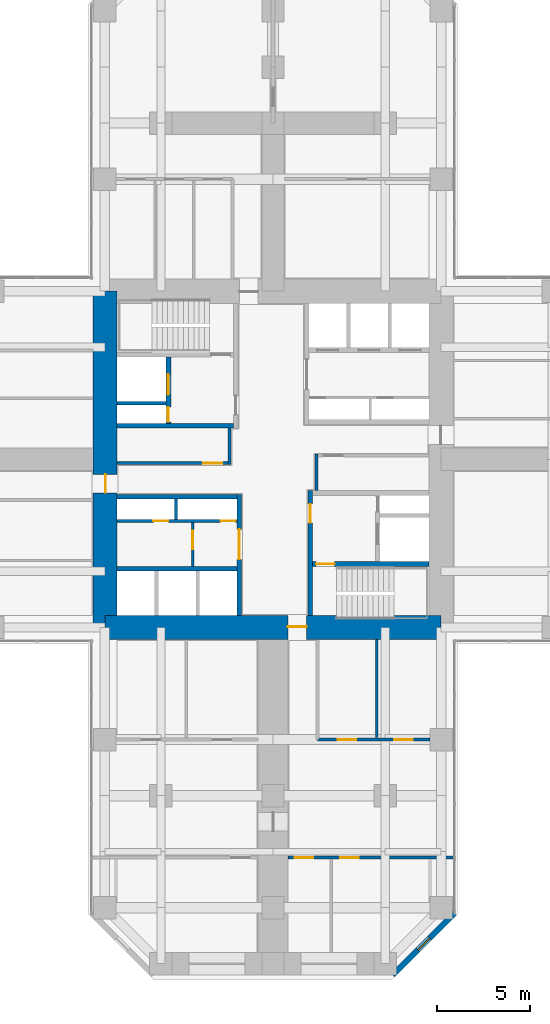
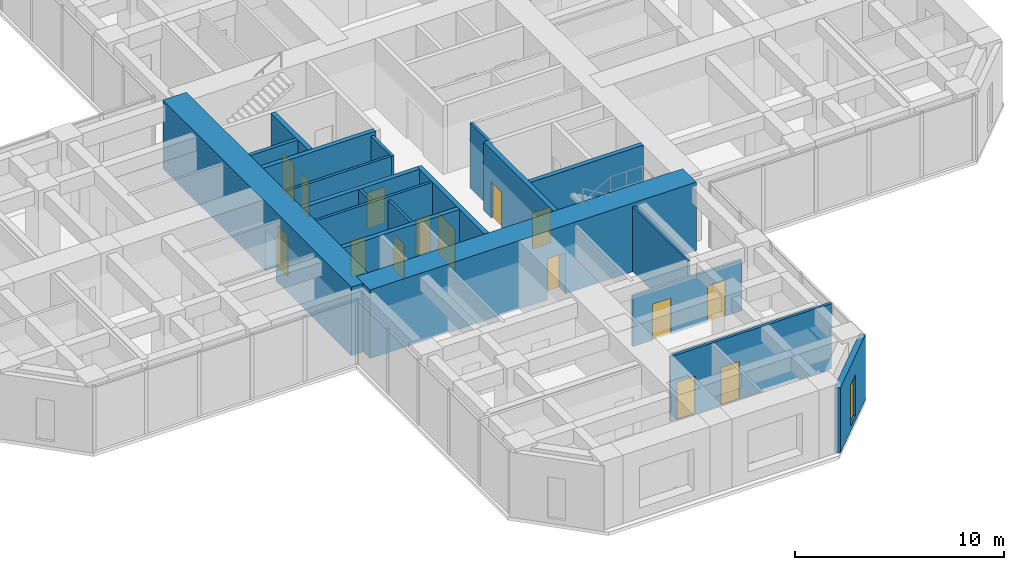
# One storey, part 9 of 13: 20 walls, 15 doors, 1 window, 16 openings.
"""IFC4 building model written with IfcOpenShell, lengths in metres."""

from ifc_helpers import new_model, si_unit, direction, frame, frame_2d, origin, place, context, subcontext, project, spatial, rectangle, hollow_rectangle, extrude, material, layer, layer_set, constituent, constituent_set, type_object, element, fill, save


model = new_model("IFC4")

# Units and contexts
model_context = context("Model", 3, precision=1e-05, world=origin(), true_north=direction((0.0, 1.0)))
body_context = subcontext(model_context, "Body", "Model", "MODEL_VIEW")
ifc_project = project(units=[si_unit("LENGTHUNIT", "METRE"), si_unit("AREAUNIT", "SQUARE_METRE"), si_unit("VOLUMEUNIT", "CUBIC_METRE"), si_unit("PLANEANGLEUNIT", "RADIAN"), si_unit("MASSUNIT", "GRAM", prefix="KILO")], contexts=[model_context])

# Site, building, storey
site_placement = place(None, origin())
site = spatial("IfcSite", under=ifc_project, at=site_placement, CompositionType="ELEMENT")
building_placement = place(site_placement, origin())
building = spatial("IfcBuilding", under=site, at=building_placement, Name="Torre Cruceta", CompositionType="ELEMENT")
storey_placement = place(building_placement, frame((0.0, 0.0, 55.5)))
storey = spatial("IfcBuildingStorey", under=building, at=storey_placement, Name="L13", CompositionType="ELEMENT", Elevation=55.5)

# Wall
ifc_material_1 = material(Name="Concrete G60 (fck 60 MPa)", Category="concrete")
ifc_layer_1 = layer(ifc_material_1, 0.25)
ifc_layer_set_1 = layer_set([ifc_layer_1], Name="Concrete G60 (fck 60 MPa)")
wall_type_1 = type_object("IfcWallType", Name="CORE INNER WALL 250 G60", PredefinedType="SHEAR", material=ifc_layer_set_1)
wall_1_placement = place(storey_placement, frame((-2.125, 1.800048828125, 0.0), z_axis=(0.0, 0.0, 1.0), x_axis=(-1.0, 0.0, 0.0)))
element("IfcWall", 1, at=wall_1_placement, inside=storey, type_object=wall_type_1, Name="CW4 L13 NW-CV", PredefinedType="SHEAR", context=body_context, shape_type="SweptSolid", body=[
    extrude(rectangle(XDim=6.22509765625, YDim=0.25, at=frame_2d((3.112548828125, 0.0))), origin(), (0.0, 0.0, 1.0), 4.0),
])

# Wall, openings, doors
wall_2_placement = place(storey_placement, frame((-5.60009765625, 1.925048828125, 0.0), z_axis=(0.0, 0.0, 1.0), x_axis=(0.0, 1.0, 0.0)))
wall_2 = element("IfcWall", 2, at=wall_2_placement, inside=storey, type_object=wall_type_1, Name="CW4 L13 NW-FU", PredefinedType="SHEAR", context=body_context, shape_type="SweptSolid", body=[
    extrude(rectangle(XDim=3.550048828125, YDim=0.25, at=frame_2d((1.77490234375, 0.0))), origin(), (0.0, 0.0, 1.0), 4.0),
])
opening_1_placement = place(wall_2_placement, frame((1.52490234375, 0.0, 0.0)))
opening_1 = element("IfcOpeningElement", 3, at=opening_1_placement, cuts=wall_2, Name="Opening LD1", PredefinedType="OPENING", context=body_context, shape_type="SweptSolid", body=[
    extrude(rectangle(XDim=1.10009765625, YDim=2.199951171875, at=frame_2d((0.550048828125, 1.10009765625))), frame((0.0, 0.135009765625, 0.0), z_axis=(0.0, -1.0, 0.0), x_axis=(1.0, 0.0, 0.0)), (0.0, 0.0, 1.0), 0.27001953125),
])
opening_2_placement = place(wall_2_placement, frame((0.074951171875, 0.0, 0.0)))
opening_2 = element("IfcOpeningElement", 4, at=opening_2_placement, cuts=wall_2, Name="Opening D5", PredefinedType="OPENING", context=body_context, shape_type="SweptSolid", body=[
    extrude(rectangle(XDim=0.800048828125, YDim=2.10009765625, at=frame_2d((0.39990234375, 1.050048828125))), frame((0.0, 0.135009765625, 0.0), z_axis=(0.0, -1.0, 0.0), x_axis=(1.0, 0.0, 0.0)), (0.0, 0.0, 1.0), 0.27001953125),
])
ifc_material_2 = material(Name="Stainless steel 1.4401", Category="steel")
door_type_1 = type_object("IfcDoorType", Name="LIFT LANDING DOOR 1100X2200", OperationType="DOUBLE_DOOR_SLIDING", PredefinedType="DOOR", material=ifc_material_2)
door_1_placement = place(opening_1_placement, origin())
door_1 = element("IfcDoor", 5, at=door_1_placement, inside=storey, type_object=door_type_1, Name="Lift landing door FL1", OperationType="DOUBLE_DOOR_SLIDING", OverallHeight=2.199951171875, OverallWidth=1.10009765625, PredefinedType="DOOR", context=body_context, shape_type="SweptSolid", body=[
    extrude(rectangle(XDim=1.10009765625, YDim=2.199951171875, at=frame_2d((0.550048828125, 1.10009765625))), frame((0.0, 0.02490234375, 0.0), z_axis=(0.0, -1.0, 0.0), x_axis=(1.0, 0.0, 0.0)), (0.0, 0.0, 1.0), 0.050048828125),
])
fill(opening_1, door_1)
ifc_material_3 = material(Name="Steel DX51D", Category="steel")
ifc_constituent_1 = constituent(ifc_material_3, Name="Leaf and frame")
ifc_material_4 = material(Name="Polyester powder coating", Category="paint")
ifc_constituent_2 = constituent(ifc_material_4, Name="Finish")
ifc_constituent_set_1 = constituent_set(constituents=[ifc_constituent_1, ifc_constituent_2], Name="Steel fire door")
door_type_2 = type_object("IfcDoorType", Name="RISER ACCESS DOOR 800X2100", OperationType="SINGLE_SWING_LEFT", PredefinedType="DOOR", material=ifc_constituent_set_1)
door_2_placement = place(opening_2_placement, origin())
door_2 = element("IfcDoor", 6, at=door_2_placement, inside=storey, type_object=door_type_2, Name="D5 L13 NW-RISER", OperationType="SINGLE_SWING_LEFT", OverallHeight=2.10009765625, OverallWidth=0.800048828125, PredefinedType="DOOR", context=body_context, shape_type="SweptSolid", body=[
    extrude(rectangle(XDim=0.800048828125, YDim=2.10009765625, at=frame_2d((0.39990234375, 1.050048828125))), frame((0.0, 0.02490234375, 0.0), z_axis=(0.0, -1.0, 0.0), x_axis=(1.0, 0.0, 0.0)), (0.0, 0.0, 1.0), 0.050048828125),
])
fill(opening_2, door_2)

# Wall, opening, door
wall_3_placement = place(storey_placement, frame((-1.800048828125, -1.875, 0.0), z_axis=(0.0, 0.0, 1.0), x_axis=(0.0, -1.0, 0.0)))
wall_3 = element("IfcWall", 7, at=wall_3_placement, inside=storey, type_object=wall_type_1, Name="CW4 L13 SW-CU", PredefinedType="SHEAR", context=body_context, shape_type="SweptSolid", body=[
    extrude(rectangle(XDim=6.47509765625, YDim=0.25, at=frame_2d((3.237548828125, 0.0))), origin(), (0.0, 0.0, 1.0), 4.0),
])
opening_3_placement = place(wall_3_placement, frame((1.875, 0.0, 0.0)))
opening_3 = element("IfcOpeningElement", 8, at=opening_3_placement, cuts=wall_3, Name="Opening D15", PredefinedType="OPENING", context=body_context, shape_type="SweptSolid", body=[
    extrude(rectangle(XDim=1.60009765625, YDim=2.39990234375, at=frame_2d((0.800048828125, 1.199951171875))), frame((0.0, 0.135009765625, 0.0), z_axis=(0.0, -1.0, 0.0), x_axis=(1.0, 0.0, 0.0)), (0.0, 0.0, 1.0), 0.27001953125),
])
ifc_material_5 = material(Name="Steel DX51D", Category="steel")
ifc_constituent_3 = constituent(ifc_material_5, Name="Leaf and frame")
ifc_material_6 = material(Name="Polyester powder coating", Category="paint")
ifc_constituent_4 = constituent(ifc_material_6, Name="Finish")
ifc_constituent_set_2 = constituent_set(constituents=[ifc_constituent_3, ifc_constituent_4], Name="Steel fire door")
door_type_3 = type_object("IfcDoorType", Name="CORE ROOM DOUBLE DOOR 1600X2400", OperationType="DOUBLE_DOOR_SINGLE_SWING", PredefinedType="DOOR", material=ifc_constituent_set_2)
door_3_placement = place(opening_3_placement, frame((1.60009765625, 0.0, 0.0), z_axis=(0.0, 0.0, 1.0), x_axis=(-1.0, 0.0, 0.0)))
door_3 = element("IfcDoor", 9, at=door_3_placement, inside=storey, type_object=door_type_3, Name="D15 L13 SW-LOBBY", OperationType="DOUBLE_DOOR_SINGLE_SWING", OverallHeight=2.39990234375, OverallWidth=1.60009765625, PredefinedType="DOOR", context=body_context, shape_type="SweptSolid", body=[
    extrude(rectangle(XDim=1.60009765625, YDim=2.39990234375, at=frame_2d((0.800048828125, 1.199951171875))), frame((0.0, 0.025146484375, 0.0), z_axis=(0.0, -1.0, 0.0), x_axis=(1.0, 0.0, 0.0)), (0.0, 0.0, 1.0), 0.050048828125),
])
fill(opening_3, door_3)

# Walls
for number, where, z_axis, x_axis, name in (
    (10, (-1.925048828125, -2.0, 0.0), (0.0, 0.0, 1.0), (-1.0, 0.0, 0.0), "CW4 L13 SW-CV"),
    (11, (-1.925048828125, -5.85009765625, 0.0), (0.0, 0.0, 1.0), (-1.0, 0.0, 0.0), "CW4 L13 SW-LV"),
):
    element("IfcWall", number, at=place(storey_placement, frame(where, z_axis=z_axis, x_axis=x_axis)), inside=storey, type_object=wall_type_1, Name=name, PredefinedType="SHEAR", context=body_context, shape_type="SweptSolid", body=[
        extrude(rectangle(XDim=6.425048828125, YDim=0.25, at=frame_2d((3.21240234375, 0.0))), origin(), (0.0, 0.0, 1.0), 4.0),
    ])

# Wall, opening, door
wall_4_placement = place(storey_placement, frame((2.0, -1.675048828125, 0.0), z_axis=(0.0, 0.0, 1.0), x_axis=(0.0, -1.0, 0.0)))
wall_4 = element("IfcWall", 12, at=wall_4_placement, inside=storey, type_object=wall_type_1, Name="CW4 L13 SE-CU", PredefinedType="SHEAR", context=body_context, shape_type="SweptSolid", body=[
    extrude(rectangle(XDim=6.675048828125, YDim=0.25, at=frame_2d((3.33740234375, 0.0))), origin(), (0.0, 0.0, 1.0), 4.0),
])
opening_4_placement = place(wall_4_placement, frame((0.72509765625, 0.0, 0.0)))
opening_4 = element("IfcOpeningElement", 13, at=opening_4_placement, cuts=wall_4, Name="Opening D3", PredefinedType="OPENING", context=body_context, shape_type="SweptSolid", body=[
    extrude(rectangle(XDim=1.0, YDim=2.10009765625, at=frame_2d((0.5, 1.050048828125))), frame((0.0, 0.135009765625, 0.0), z_axis=(0.0, -1.0, 0.0), x_axis=(1.0, 0.0, 0.0)), (0.0, 0.0, 1.0), 0.27001953125),
])
ifc_material_7 = material(Name="Steel DX51D", Category="steel")
ifc_constituent_5 = constituent(ifc_material_7, Name="Leaf and frame")
ifc_material_8 = material(Name="Polyester powder coating", Category="paint")
ifc_constituent_6 = constituent(ifc_material_8, Name="Finish")
ifc_constituent_set_3 = constituent_set(constituents=[ifc_constituent_5, ifc_constituent_6], Name="Steel fire door")
door_type_4 = type_object("IfcDoorType", Name="FIRE DOOR 1000X2100", OperationType="SINGLE_SWING_LEFT", PredefinedType="DOOR", material=ifc_constituent_set_3)
door_4_placement = place(opening_4_placement, origin())
door_4 = element("IfcDoor", 14, at=door_4_placement, inside=storey, type_object=door_type_4, Name="D3 L13 SE-LOBBY", OperationType="SINGLE_SWING_LEFT", OverallHeight=2.10009765625, OverallWidth=1.0, PredefinedType="DOOR", context=body_context, shape_type="SweptSolid", body=[
    extrude(rectangle(XDim=1.0, YDim=2.10009765625, at=frame_2d((0.5, 1.050048828125))), frame((0.0, 0.02490234375, 0.0), z_axis=(0.0, -1.0, 0.0), x_axis=(1.0, 0.0, 0.0)), (0.0, 0.0, 1.0), 0.050048828125),
])
fill(opening_4, door_4)

wall_5_placement = place(storey_placement, frame((2.125, -5.60009765625, 0.0), z_axis=(0.0, 0.0, 1.0), x_axis=(1.0, 0.0, 0.0)))
wall_5 = element("IfcWall", 15, at=wall_5_placement, inside=storey, type_object=wall_type_1, Name="CW4 L13 SE-SV", PredefinedType="SHEAR", context=body_context, shape_type="SweptSolid", body=[
    extrude(rectangle(XDim=6.22509765625, YDim=0.25, at=frame_2d((3.112548828125, 0.0))), origin(), (0.0, 0.0, 1.0), 4.0),
])
opening_5_placement = place(wall_5_placement, frame((0.175048828125, 0.0, 0.0)))
opening_5 = element("IfcOpeningElement", 16, at=opening_5_placement, cuts=wall_5, Name="Opening D3", PredefinedType="OPENING", context=body_context, shape_type="SweptSolid", body=[
    extrude(rectangle(XDim=1.0, YDim=2.10009765625, at=frame_2d((0.5, 1.050048828125))), frame((0.0, 0.135009765625, 0.0), z_axis=(0.0, -1.0, 0.0), x_axis=(1.0, 0.0, 0.0)), (0.0, 0.0, 1.0), 0.27001953125),
])
door_5_placement = place(opening_5_placement, frame((1.0, 0.0, 0.0), z_axis=(0.0, 0.0, 1.0), x_axis=(-1.0, 0.0, 0.0)))
door_5 = element("IfcDoor", 17, at=door_5_placement, inside=storey, type_object=door_type_4, Name="D3 L13 SE-STAIR", OperationType="SINGLE_SWING_RIGHT", OverallHeight=2.10009765625, OverallWidth=1.0, PredefinedType="DOOR", context=body_context, shape_type="SweptSolid", body=[
    extrude(rectangle(XDim=1.0, YDim=2.10009765625, at=frame_2d((0.5, 1.050048828125))), frame((0.0, 0.025146484375, 0.0), z_axis=(0.0, -1.0, 0.0), x_axis=(1.0, 0.0, 0.0)), (0.0, 0.0, 1.0), 0.050048828125),
])
fill(opening_5, door_5)

ifc_material_9 = material(Name="Concrete G60 (fck 60 MPa)", Category="concrete")
ifc_layer_2 = layer(ifc_material_9, 1.300048828125)
ifc_layer_set_2 = layer_set([ifc_layer_2], Name="Concrete G60 (fck 60 MPa)")
wall_type_2 = type_object("IfcWallType", Name="CORE WALL 1300 G60", PredefinedType="SHEAR", material=ifc_layer_set_2)
wall_6_placement = place(storey_placement, frame((-9.0, -9.0, 0.0), z_axis=(0.0, 0.0, 1.0), x_axis=(1.0, 0.0, 0.0)))
wall_6 = element("IfcWall", 18, at=wall_6_placement, inside=storey, type_object=wall_type_2, Name="CW1 L13 CW-S", PredefinedType="SHEAR", context=body_context, shape_type="SweptSolid", body=[
    extrude(rectangle(XDim=18.0, YDim=1.300048828125, at=frame_2d((9.0, 0.0))), origin(), (0.0, 0.0, 1.0), 4.0),
])
opening_6_placement = place(wall_6_placement, frame((9.800048828125, 0.0, 0.0)))
opening_6 = element("IfcOpeningElement", 19, at=opening_6_placement, cuts=wall_6, Name="Opening D4", PredefinedType="OPENING", context=body_context, shape_type="SweptSolid", body=[
    extrude(rectangle(XDim=1.0, YDim=2.39990234375, at=frame_2d((0.5, 1.199951171875))), frame((0.0, 0.659912109375, 0.0), z_axis=(0.0, -1.0, 0.0), x_axis=(1.0, 0.0, 0.0)), (0.0, 0.0, 1.0), 1.320068359375),
])
ifc_material_10 = material(Name="Steel DX51D", Category="steel")
ifc_constituent_7 = constituent(ifc_material_10, Name="Leaf and frame")
ifc_material_11 = material(Name="Polyester powder coating", Category="paint")
ifc_constituent_8 = constituent(ifc_material_11, Name="Finish")
ifc_constituent_set_4 = constituent_set(constituents=[ifc_constituent_7, ifc_constituent_8], Name="Steel fire door")
door_type_5 = type_object("IfcDoorType", Name="CORE ARM DOOR 1000X2400", OperationType="SINGLE_SWING_RIGHT", PredefinedType="DOOR", material=ifc_constituent_set_4)
door_6_placement = place(opening_6_placement, frame((1.0, 0.0, 0.0), z_axis=(0.0, 0.0, 1.0), x_axis=(-1.0, 0.0, 0.0)))
door_6 = element("IfcDoor", 20, at=door_6_placement, inside=storey, type_object=door_type_5, Name="D4 L13 CW-S", OperationType="SINGLE_SWING_RIGHT", OverallHeight=2.39990234375, OverallWidth=1.0, PredefinedType="DOOR", context=body_context, shape_type="SweptSolid", body=[
    extrude(rectangle(XDim=1.0, YDim=2.39990234375, at=frame_2d((0.5, 1.199951171875))), frame((0.0, -0.005126953125, 0.0), z_axis=(0.0, -1.0, 0.0), x_axis=(1.0, 0.0, 0.0)), (0.0, 0.0, 1.0), 0.050048828125),
])
fill(opening_6, door_6)

wall_7_placement = place(storey_placement, frame((-9.0, 9.0, 0.0), z_axis=(0.0, 0.0, 1.0), x_axis=(0.0, -1.0, 0.0)))
wall_7 = element("IfcWall", 21, at=wall_7_placement, inside=storey, type_object=wall_type_2, Name="CW1 L13 CW-W", PredefinedType="SHEAR", context=body_context, shape_type="SweptSolid", body=[
    extrude(rectangle(XDim=18.0, YDim=1.300048828125, at=frame_2d((9.0, 0.0))), origin(), (0.0, 0.0, 1.0), 4.0),
])
opening_7_placement = place(wall_7_placement, frame((9.800048828125, 0.0, 0.0)))
opening_7 = element("IfcOpeningElement", 22, at=opening_7_placement, cuts=wall_7, Name="Opening D4", PredefinedType="OPENING", context=body_context, shape_type="SweptSolid", body=[
    extrude(rectangle(XDim=1.0, YDim=2.39990234375, at=frame_2d((0.5, 1.199951171875))), frame((0.0, 0.659912109375, 0.0), z_axis=(0.0, -1.0, 0.0), x_axis=(1.0, 0.0, 0.0)), (0.0, 0.0, 1.0), 1.320068359375),
])
door_7_placement = place(opening_7_placement, frame((1.0, 0.0, 0.0), z_axis=(0.0, 0.0, 1.0), x_axis=(-1.0, 0.0, 0.0)))
door_7 = element("IfcDoor", 23, at=door_7_placement, inside=storey, type_object=door_type_5, Name="D4 L13 CW-W", OperationType="SINGLE_SWING_RIGHT", OverallHeight=2.39990234375, OverallWidth=1.0, PredefinedType="DOOR", context=body_context, shape_type="SweptSolid", body=[
    extrude(rectangle(XDim=1.0, YDim=2.39990234375, at=frame_2d((0.5, 1.199951171875))), frame((0.0, -0.005126953125, 0.0), z_axis=(0.0, -1.0, 0.0), x_axis=(1.0, 0.0, 0.0)), (0.0, 0.0, 1.0), 0.050048828125),
])
fill(opening_7, door_7)

# Wall, opening, window
ifc_material_12 = material(Name="Concrete G30 (fck 30 MPa)", Category="concrete")
ifc_layer_3 = layer(ifc_material_12, 0.300048828125)
ifc_layer_set_3 = layer_set([ifc_layer_3], Name="Concrete G30 (fck 30 MPa)")
wall_type_3 = type_object("IfcWallType", Name="EXPOSED CONCRETE FACADE WALL 300", PredefinedType="SOLIDWALL", material=ifc_layer_set_3)
wall_8_placement = place(storey_placement, frame((6.418212890625, -27.60009765625, 0.0), z_axis=(0.0, 0.0, 1.0), x_axis=(0.707106781187, 0.707106781187, 0.0)))
wall_8 = element("IfcWall", 24, at=wall_8_placement, inside=storey, type_object=wall_type_3, Name="EW1 facade wall L13 S chamfer 18", PredefinedType="SOLIDWALL", context=body_context, shape_type="SweptSolid", body=[
    extrude(rectangle(XDim=4.66943359375, YDim=0.300048828125, at=frame_2d((2.334716796875, 0.0))), origin(), (0.0, 0.0, 1.0), 3.800048828125),
])
opening_8_placement = place(wall_8_placement, frame((1.884765625, 0.0, 0.300048828125)))
opening_8 = element("IfcOpeningElement", 25, at=opening_8_placement, cuts=wall_8, Name="Opening WN5", PredefinedType="OPENING", context=body_context, shape_type="SweptSolid", body=[
    extrude(rectangle(XDim=0.89990234375, YDim=2.39990234375, at=frame_2d((0.449951171875, 1.199951171875))), frame((0.0, 0.159912109375, 0.0), z_axis=(0.0, -1.0, 0.0), x_axis=(1.0, 0.0, 0.0)), (0.0, 0.0, 1.0), 0.320068359375),
])
ifc_material_13 = material(Name="Aluminium window frame", Category="aluminium")
ifc_constituent_9 = constituent(ifc_material_13, Name="Frame")
ifc_material_14 = material(Name="Laminated insulating glass unit, low-iron clear", Category="glass")
ifc_constituent_10 = constituent(ifc_material_14, Name="Glazing")
ifc_constituent_set_5 = constituent_set(constituents=[ifc_constituent_9, ifc_constituent_10], Name="Aluminium window")
window_type = type_object("IfcWindowType", Name="CHAMFER SLOT WINDOW 900X2400", PartitioningType="SINGLE_PANEL", PredefinedType="WINDOW", material=ifc_constituent_set_5)
window_placement = place(opening_8_placement, origin())
window = element("IfcWindow", 26, at=window_placement, inside=storey, type_object=window_type, Name="WN5 L13 S 1", OverallHeight=2.39990234375, OverallWidth=0.89990234375, PartitioningType="SINGLE_PANEL", PredefinedType="WINDOW", context=body_context, shape_type="SweptSolid", body=[
    extrude(hollow_rectangle(XDim=0.89990234375, YDim=2.39990234375, WallThickness=0.06005859375, at=frame_2d((0.449951171875, 1.199951171875))), frame((0.0, 0.030029296875, 0.0), z_axis=(0.0, -1.0, 0.0), x_axis=(1.0, 0.0, 0.0)), (0.0, 0.0, 1.0), 0.06005859375),
    extrude(rectangle(XDim=0.77880859375, YDim=2.27880859375, at=frame_2d((0.449951171875, 1.199951171875))), frame((0.0, 0.030029296875, 0.0), z_axis=(0.0, -1.0, 0.0), x_axis=(1.0, 0.0, 0.0)), (0.0, 0.0, 1.0), 0.06005859375),
])
fill(opening_8, window)

# Walls
ifc_material_15 = material(Name="Concrete G35 (fck 35 MPa)", Category="concrete")
ifc_layer_4 = layer(ifc_material_15, 0.199951171875)
ifc_layer_set_4 = layer_set([ifc_layer_4], Name="Concrete G35 (fck 35 MPa)")
wall_type_4 = type_object("IfcWallType", Name="LIFT SHAFT WALL 200", PredefinedType="PARTITIONING", material=ifc_layer_set_4)
wall_9_placement = place(storey_placement, frame((-5.72509765625, 3.0, 0.0), z_axis=(0.0, 0.0, 1.0), x_axis=(-1.0, 0.0, 0.0)))
element("IfcWall", 27, at=wall_9_placement, inside=storey, type_object=wall_type_4, Name="SW1 L13 NW-FR", PredefinedType="PARTITIONING", context=body_context, shape_type="SweptSolid", body=[
    extrude(rectangle(XDim=2.625, YDim=0.199951171875, at=frame_2d((1.3125, 0.0))), origin(), (0.0, 0.0, 1.0), 4.0),
])
ifc_material_16 = material(Name="Plasterboard on steel studs", Category="steel")
ifc_layer_5 = layer(ifc_material_16, 0.14990234375)
ifc_layer_set_5 = layer_set([ifc_layer_5], Name="Plasterboard on steel studs")
wall_type_5 = type_object("IfcWallType", Name="PARTITION 150", PredefinedType="PARTITIONING", material=ifc_layer_set_5)
wall_10_placement = place(storey_placement, frame((2.324951171875, -1.675048828125, 0.0), z_axis=(0.0, 0.0, 1.0), x_axis=(0.0, 1.0, 0.0)))
element("IfcWall", 28, at=wall_10_placement, inside=storey, type_object=wall_type_5, Name="PT1 L13-CORE-LEGE-S-W2", PredefinedType="PARTITIONING", context=body_context, shape_type="SweptSolid", body=[
    extrude(rectangle(XDim=1.949951171875, YDim=0.14990234375, at=frame_2d((0.97509765625, 0.0))), origin(), (0.0, 0.0, 1.0), 3.800048828125),
])

# Wall, opening, door
wall_11_placement = place(storey_placement, frame((-2.324951171875, -0.199951171875, 0.0), z_axis=(0.0, 0.0, 1.0), x_axis=(-1.0, 0.0, 0.0)))
wall_11 = element("IfcWall", 29, at=wall_11_placement, inside=storey, type_object=wall_type_5, Name="PT1 L13-CORE-LEGW-N-W1", PredefinedType="PARTITIONING", context=body_context, shape_type="SweptSolid", body=[
    extrude(rectangle(XDim=6.025146484375, YDim=0.14990234375, at=frame_2d((3.0126953125, 0.0))), origin(), (0.0, 0.0, 1.0), 3.800048828125),
])
opening_9_placement = place(wall_11_placement, frame((0.39990234375, 0.0, 0.0)))
opening_9 = element("IfcOpeningElement", 30, at=opening_9_placement, cuts=wall_11, Name="Opening D3", PredefinedType="OPENING", context=body_context, shape_type="SweptSolid", body=[
    extrude(rectangle(XDim=1.0, YDim=2.10009765625, at=frame_2d((0.5, 1.050048828125))), frame((0.0, 0.0849609375, 0.0), z_axis=(0.0, -1.0, 0.0), x_axis=(1.0, 0.0, 0.0)), (0.0, 0.0, 1.0), 0.169921875),
])
door_8_placement = place(opening_9_placement, frame((1.0, 0.0, 0.0), z_axis=(0.0, 0.0, 1.0), x_axis=(-1.0, 0.0, 0.0)))
door_8 = element("IfcDoor", 31, at=door_8_placement, inside=storey, type_object=door_type_4, Name="D3 L13-CORE-LEGW-N-W1-D1", OperationType="SINGLE_SWING_RIGHT", OverallHeight=2.10009765625, OverallWidth=1.0, PredefinedType="DOOR", context=body_context, shape_type="SweptSolid", body=[
    extrude(rectangle(XDim=1.0, YDim=2.10009765625, at=frame_2d((0.5, 1.050048828125))), frame((0.0, 0.025146484375, 0.0), z_axis=(0.0, -1.0, 0.0), x_axis=(1.0, 0.0, 0.0)), (0.0, 0.0, 1.0), 0.050048828125),
])
fill(opening_9, door_8)

# Wall
wall_12_placement = place(storey_placement, frame((-2.324951171875, 1.675048828125, 0.0), z_axis=(0.0, 0.0, 1.0), x_axis=(0.0, -1.0, 0.0)))
element("IfcWall", 32, at=wall_12_placement, inside=storey, type_object=wall_type_5, Name="PT1 L13-CORE-LEGW-N-W2", PredefinedType="PARTITIONING", context=body_context, shape_type="SweptSolid", body=[
    extrude(rectangle(XDim=1.949951171875, YDim=0.14990234375, at=frame_2d((0.97509765625, 0.0))), origin(), (0.0, 0.0, 1.0), 3.800048828125),
])

# Wall, opening, door
wall_13_placement = place(storey_placement, frame((-4.300048828125, -3.375, 0.0), z_axis=(0.0, 0.0, 1.0), x_axis=(0.0, -1.0, 0.0)))
wall_13 = element("IfcWall", 33, at=wall_13_placement, inside=storey, type_object=wall_type_5, Name="PT1 L13-CORE-SW-X", PredefinedType="PARTITIONING", context=body_context, shape_type="SweptSolid", body=[
    extrude(rectangle(XDim=2.35009765625, YDim=0.14990234375, at=frame_2d((1.175048828125, 0.0))), origin(), (0.0, 0.0, 1.0), 3.800048828125),
])
opening_10_placement = place(wall_13_placement, frame((0.449951171875, 0.0, 0.0)))
opening_10 = element("IfcOpeningElement", 34, at=opening_10_placement, cuts=wall_13, Name="Opening D3", PredefinedType="OPENING", context=body_context, shape_type="SweptSolid", body=[
    extrude(rectangle(XDim=1.0, YDim=2.10009765625, at=frame_2d((0.5, 1.050048828125))), frame((0.0, 0.0849609375, 0.0), z_axis=(0.0, -1.0, 0.0), x_axis=(1.0, 0.0, 0.0)), (0.0, 0.0, 1.0), 0.169921875),
])
door_9_placement = place(opening_10_placement, origin())
door_9 = element("IfcDoor", 35, at=door_9_placement, inside=storey, type_object=door_type_4, Name="D3 L13-CORE-SW-X-D1", OperationType="SINGLE_SWING_LEFT", OverallHeight=2.10009765625, OverallWidth=1.0, PredefinedType="DOOR", context=body_context, shape_type="SweptSolid", body=[
    extrude(rectangle(XDim=1.0, YDim=2.10009765625, at=frame_2d((0.5, 1.050048828125))), frame((0.0, 0.02490234375, 0.0), z_axis=(0.0, -1.0, 0.0), x_axis=(1.0, 0.0, 0.0)), (0.0, 0.0, 1.0), 0.050048828125),
])
fill(opening_10, door_9)

# Wall, openings, doors
wall_14_placement = place(storey_placement, frame((2.375, -15.0, 0.0), z_axis=(0.0, 0.0, 1.0), x_axis=(1.0, 0.0, 0.0)))
wall_14 = element("IfcWall", 36, at=wall_14_placement, inside=storey, type_object=wall_type_5, Name="PT1 L13-S-BFL", PredefinedType="PARTITIONING", context=body_context, shape_type="SweptSolid", body=[
    extrude(rectangle(XDim=6.02490234375, YDim=0.14990234375, at=frame_2d((3.012451171875, 0.0))), origin(), (0.0, 0.0, 1.0), 2.949951171875),
])
opening_11_placement = place(wall_14_placement, frame((1.08984375, 0.0, 0.0)))
opening_11 = element("IfcOpeningElement", 37, at=opening_11_placement, cuts=wall_14, Name="Opening D3", PredefinedType="OPENING", context=body_context, shape_type="SweptSolid", body=[
    extrude(rectangle(XDim=1.0, YDim=2.10009765625, at=frame_2d((0.5, 1.050048828125))), frame((0.0, 0.0849609375, 0.0), z_axis=(0.0, -1.0, 0.0), x_axis=(1.0, 0.0, 0.0)), (0.0, 0.0, 1.0), 0.169921875),
])
opening_12_placement = place(wall_14_placement, frame((4.102294921875, 0.0, 0.0)))
opening_12 = element("IfcOpeningElement", 38, at=opening_12_placement, cuts=wall_14, Name="Opening D3", PredefinedType="OPENING", context=body_context, shape_type="SweptSolid", body=[
    extrude(rectangle(XDim=1.0, YDim=2.10009765625, at=frame_2d((0.5, 1.050048828125))), frame((0.0, 0.0849609375, 0.0), z_axis=(0.0, -1.0, 0.0), x_axis=(1.0, 0.0, 0.0)), (0.0, 0.0, 1.0), 0.169921875),
])
door_10_placement = place(opening_11_placement, origin())
door_10 = element("IfcDoor", 39, at=door_10_placement, inside=storey, type_object=door_type_4, Name="D3 L13-S-BFL-D1", OperationType="SINGLE_SWING_LEFT", OverallHeight=2.10009765625, OverallWidth=1.0, PredefinedType="DOOR", context=body_context, shape_type="SweptSolid", body=[
    extrude(rectangle(XDim=1.0, YDim=2.10009765625, at=frame_2d((0.5, 1.050048828125))), frame((0.0, 0.02490234375, 0.0), z_axis=(0.0, -1.0, 0.0), x_axis=(1.0, 0.0, 0.0)), (0.0, 0.0, 1.0), 0.050048828125),
])
fill(opening_11, door_10)
door_11_placement = place(opening_12_placement, origin())
door_11 = element("IfcDoor", 40, at=door_11_placement, inside=storey, type_object=door_type_4, Name="D3 L13-S-BFL-D2", OperationType="SINGLE_SWING_LEFT", OverallHeight=2.10009765625, OverallWidth=1.0, PredefinedType="DOOR", context=body_context, shape_type="SweptSolid", body=[
    extrude(rectangle(XDim=1.0, YDim=2.10009765625, at=frame_2d((0.5, 1.050048828125))), frame((0.0, 0.02490234375, 0.0), z_axis=(0.0, -1.0, 0.0), x_axis=(1.0, 0.0, 0.0)), (0.0, 0.0, 1.0), 0.050048828125),
])
fill(opening_12, door_11)

wall_15_placement = place(storey_placement, frame((0.800048828125, -21.320068359375, 0.0), z_axis=(0.0, 0.0, 1.0), x_axis=(1.0, 0.0, 0.0)))
wall_15 = element("IfcWall", 41, at=wall_15_placement, inside=storey, type_object=wall_type_5, Name="PT1 L13-S-TWL", PredefinedType="PARTITIONING", context=body_context, shape_type="SweptSolid", body=[
    extrude(rectangle(XDim=8.8798828125, YDim=0.14990234375, at=frame_2d((4.43994140625, 0.0))), origin(), (0.0, 0.0, 1.0), 3.800048828125),
])
opening_13_placement = place(wall_15_placement, frame((0.35009765625, 0.0, 0.0)))
opening_13 = element("IfcOpeningElement", 42, at=opening_13_placement, cuts=wall_15, Name="Opening D14", PredefinedType="OPENING", context=body_context, shape_type="SweptSolid", body=[
    extrude(rectangle(XDim=1.0, YDim=2.199951171875, at=frame_2d((0.5, 1.10009765625))), frame((0.0, 0.0849609375, 0.0), z_axis=(0.0, -1.0, 0.0), x_axis=(1.0, 0.0, 0.0)), (0.0, 0.0, 1.0), 0.169921875),
])
opening_14_placement = place(wall_15_placement, frame((2.79296875, 0.0, 0.0)))
opening_14 = element("IfcOpeningElement", 43, at=opening_14_placement, cuts=wall_15, Name="Opening D14", PredefinedType="OPENING", context=body_context, shape_type="SweptSolid", body=[
    extrude(rectangle(XDim=1.0, YDim=2.199951171875, at=frame_2d((0.5, 1.10009765625))), frame((0.0, 0.0849609375, 0.0), z_axis=(0.0, -1.0, 0.0), x_axis=(1.0, 0.0, 0.0)), (0.0, 0.0, 1.0), 0.169921875),
])
ifc_material_17 = material(Name="Steel DX51D", Category="steel")
ifc_constituent_11 = constituent(ifc_material_17, Name="Leaf and frame")
ifc_material_18 = material(Name="Polyester powder coating", Category="paint")
ifc_constituent_12 = constituent(ifc_material_18, Name="Finish")
ifc_material_19 = material(Name="Fire-resisting glass", Category="glass")
ifc_constituent_13 = constituent(ifc_material_19, Name="Vision panel")
ifc_constituent_set_6 = constituent_set(constituents=[ifc_constituent_11, ifc_constituent_12, ifc_constituent_13], Name="Steel fire door with vision panel")
door_type_6 = type_object("IfcDoorType", Name="FIRE DOOR VISION PANEL 1000X2200", OperationType="SINGLE_SWING_RIGHT", PredefinedType="DOOR", material=ifc_constituent_set_6)
door_12_placement = place(opening_13_placement, frame((1.0, 0.0, 0.0), z_axis=(0.0, 0.0, 1.0), x_axis=(-1.0, 0.0, 0.0)))
door_12 = element("IfcDoor", 44, at=door_12_placement, inside=storey, type_object=door_type_6, Name="D14 L13-S-TWL-D1", OperationType="SINGLE_SWING_RIGHT", OverallHeight=2.199951171875, OverallWidth=1.0, PredefinedType="DOOR", context=body_context, shape_type="SweptSolid", body=[
    extrude(rectangle(XDim=1.0, YDim=2.199951171875, at=frame_2d((0.5, 1.10009765625))), frame((0.0, 0.025146484375, 0.0), z_axis=(0.0, -1.0, 0.0), x_axis=(1.0, 0.0, 0.0)), (0.0, 0.0, 1.0), 0.050048828125),
])
fill(opening_13, door_12)
door_13_placement = place(opening_14_placement, frame((1.0, 0.0, 0.0), z_axis=(0.0, 0.0, 1.0), x_axis=(-1.0, 0.0, 0.0)))
door_13 = element("IfcDoor", 45, at=door_13_placement, inside=storey, type_object=door_type_6, Name="D14 L13-S-TWL-D2", OperationType="SINGLE_SWING_RIGHT", OverallHeight=2.199951171875, OverallWidth=1.0, PredefinedType="DOOR", context=body_context, shape_type="SweptSolid", body=[
    extrude(rectangle(XDim=1.0, YDim=2.199951171875, at=frame_2d((0.5, 1.10009765625))), frame((0.0, 0.025146484375, 0.0), z_axis=(0.0, -1.0, 0.0), x_axis=(1.0, 0.0, 0.0)), (0.0, 0.0, 1.0), 0.050048828125),
])
fill(opening_14, door_13)

ifc_material_20 = material(Name="Concrete block masonry", Category="masonry")
ifc_layer_6 = layer(ifc_material_20, 0.14990234375)
ifc_layer_set_6 = layer_set([ifc_layer_6], Name="Concrete block masonry")
wall_type_6 = type_object("IfcWallType", Name="RISER WALL 150", PredefinedType="PARTITIONING", material=ifc_layer_set_6)
wall_16_placement = place(storey_placement, frame((-1.925048828125, -3.300048828125, 0.0), z_axis=(0.0, 0.0, 1.0), x_axis=(-1.0, 0.0, 0.0)))
wall_16 = element("IfcWall", 46, at=wall_16_placement, inside=storey, type_object=wall_type_6, Name="SW7 L13 SW-RV", PredefinedType="PARTITIONING", context=body_context, shape_type="SweptSolid", body=[
    extrude(rectangle(XDim=6.425048828125, YDim=0.14990234375, at=frame_2d((3.21240234375, 0.0))), origin(), (0.0, 0.0, 1.0), 4.0),
])
opening_15_placement = place(wall_16_placement, frame((0.074951171875, 0.0, 0.0)))
opening_15 = element("IfcOpeningElement", 47, at=opening_15_placement, cuts=wall_16, Name="Opening D5", PredefinedType="OPENING", context=body_context, shape_type="SweptSolid", body=[
    extrude(rectangle(XDim=0.800048828125, YDim=2.10009765625, at=frame_2d((0.39990234375, 1.050048828125))), frame((0.0, 0.0849609375, 0.0), z_axis=(0.0, -1.0, 0.0), x_axis=(1.0, 0.0, 0.0)), (0.0, 0.0, 1.0), 0.169921875),
])
opening_16_placement = place(wall_16_placement, frame((3.675048828125, 0.0, 0.0)))
opening_16 = element("IfcOpeningElement", 48, at=opening_16_placement, cuts=wall_16, Name="Opening D5", PredefinedType="OPENING", context=body_context, shape_type="SweptSolid", body=[
    extrude(rectangle(XDim=0.800048828125, YDim=2.10009765625, at=frame_2d((0.39990234375, 1.050048828125))), frame((0.0, 0.0849609375, 0.0), z_axis=(0.0, -1.0, 0.0), x_axis=(1.0, 0.0, 0.0)), (0.0, 0.0, 1.0), 0.169921875),
])
door_14_placement = place(opening_15_placement, frame((0.800048828125, 0.0, 0.0), z_axis=(0.0, 0.0, 1.0), x_axis=(-1.0, 0.0, 0.0)))
door_14 = element("IfcDoor", 49, at=door_14_placement, inside=storey, type_object=door_type_2, Name="D5 L13 SW-RISER1", OperationType="SINGLE_SWING_RIGHT", OverallHeight=2.10009765625, OverallWidth=0.800048828125, PredefinedType="DOOR", context=body_context, shape_type="SweptSolid", body=[
    extrude(rectangle(XDim=0.800048828125, YDim=2.10009765625, at=frame_2d((0.400146484375, 1.050048828125))), frame((0.0, 0.025146484375, 0.0), z_axis=(0.0, -1.0, 0.0), x_axis=(1.0, 0.0, 0.0)), (0.0, 0.0, 1.0), 0.050048828125),
])
fill(opening_15, door_14)
door_15_placement = place(opening_16_placement, frame((0.800048828125, 0.0, 0.0), z_axis=(0.0, 0.0, 1.0), x_axis=(-1.0, 0.0, 0.0)))
door_15 = element("IfcDoor", 50, at=door_15_placement, inside=storey, type_object=door_type_2, Name="D5 L13 SW-RISER2", OperationType="SINGLE_SWING_RIGHT", OverallHeight=2.10009765625, OverallWidth=0.800048828125, PredefinedType="DOOR", context=body_context, shape_type="SweptSolid", body=[
    extrude(rectangle(XDim=0.800048828125, YDim=2.10009765625, at=frame_2d((0.400146484375, 1.050048828125))), frame((0.0, 0.025146484375, 0.0), z_axis=(0.0, -1.0, 0.0), x_axis=(1.0, 0.0, 0.0)), (0.0, 0.0, 1.0), 0.050048828125),
])
fill(opening_16, door_15)

# Walls
wall_17_placement = place(storey_placement, frame((-5.199951171875, -2.125, 0.0), z_axis=(0.0, 0.0, 1.0), x_axis=(0.0, -1.0, 0.0)))
element("IfcWall", 51, at=wall_17_placement, inside=storey, type_object=wall_type_6, Name="SW7 L13 SW-RU", PredefinedType="PARTITIONING", context=body_context, shape_type="SweptSolid", body=[
    extrude(rectangle(XDim=1.10009765625, YDim=0.14990234375, at=frame_2d((0.550048828125, 0.0))), origin(), (0.0, 0.0, 1.0), 4.0),
])
ifc_material_21 = material(Name="Plasterboard on steel studs", Category="steel")
ifc_layer_7 = layer(ifc_material_21, 0.1201171875)
ifc_layer_set_7 = layer_set([ifc_layer_7], Name="Plasterboard on steel studs")
wall_type_7 = type_object("IfcWallType", Name="WC PARTITION 120", PredefinedType="PLUMBINGWALL", material=ifc_layer_set_7)
wall_18_placement = place(storey_placement, frame((5.554931640625, -9.64990234375, 0.0), z_axis=(0.0, 0.0, 1.0), x_axis=(0.0, -1.0, 0.0)))
element("IfcWall", 52, at=wall_18_placement, inside=storey, type_object=wall_type_7, Name="PT5 L13-S-BDL1", PredefinedType="PLUMBINGWALL", context=body_context, shape_type="SweptSolid", body=[
    extrude(rectangle(XDim=5.25, YDim=0.1201171875, at=frame_2d((2.625, 0.0))), origin(), (0.0, 0.0, 1.0), 3.800048828125),
])

save(model, "model.ifc")
